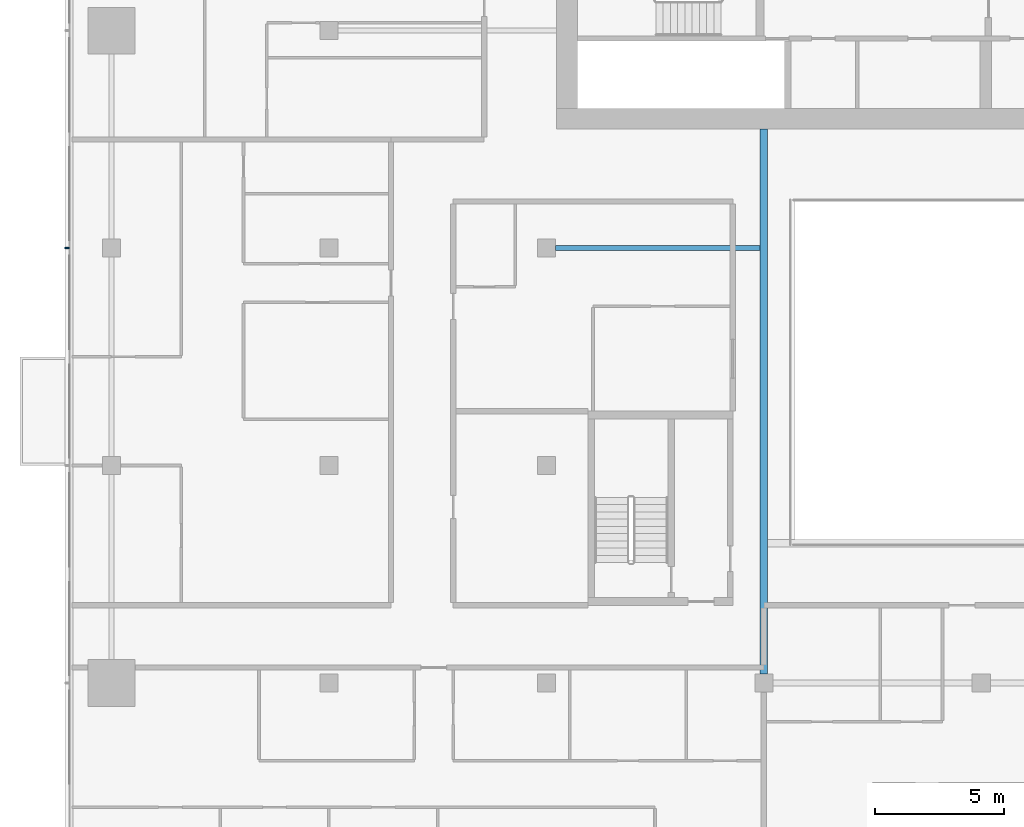
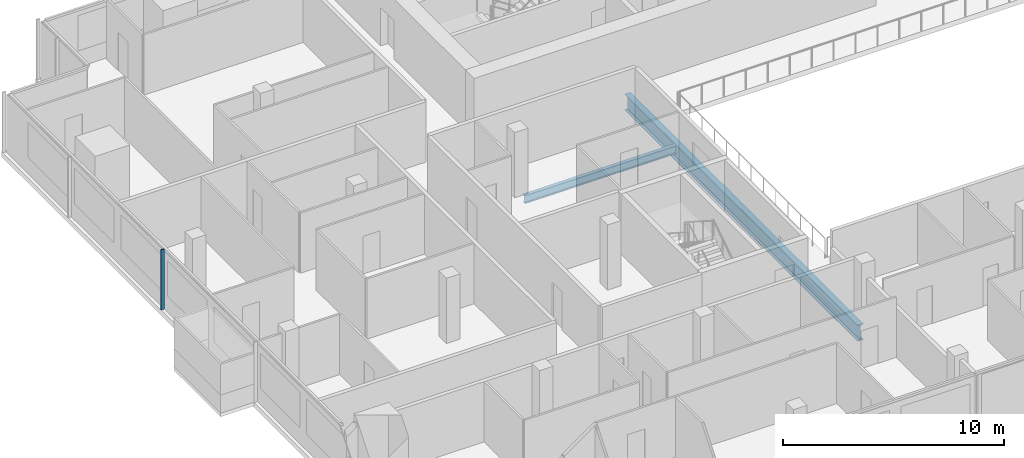
# One storey, part 4 of 28: 2 beams, 1 member, 1 element without a shape of its own.
"""IFC4 building model written with IfcOpenShell, lengths in metres."""

from ifc_helpers import new_model, si_unit, direction, frame, origin, origin_2d, place, context, subcontext, project, spatial, rectangle, i_section, extrude, material, material_profile, profile_set, type_object, element, aggregate, save


model = new_model("IFC4")

# Units and contexts
model_context = context("Model", 3, precision=1e-05, world=origin(), true_north=direction((0.0, 1.0)))
body_context = subcontext(model_context, "Body", "Model", "MODEL_VIEW")
ifc_project = project(units=[si_unit("LENGTHUNIT", "METRE"), si_unit("AREAUNIT", "SQUARE_METRE"), si_unit("VOLUMEUNIT", "CUBIC_METRE"), si_unit("PLANEANGLEUNIT", "RADIAN"), si_unit("MASSUNIT", "GRAM", prefix="KILO")], contexts=[model_context])

# Site, building, storey
site_placement = place(None, origin())
site = spatial("IfcSite", under=ifc_project, at=site_placement, CompositionType="ELEMENT")
building_placement = place(site_placement, origin())
building = spatial("IfcBuilding", under=site, at=building_placement, Name="Saffron Gate Tower", CompositionType="ELEMENT")
storey_placement = place(building_placement, frame((0.0, 0.0, 176.25)))
storey = spatial("IfcBuildingStorey", under=building, at=storey_placement, Name="L43", CompositionType="ELEMENT", Elevation=176.25)

# Beams
ifc_material_1 = material(Name="Structural steel S355", Category="steel")
ifc_material_profile_1 = material_profile(ifc_material_1, i_section(OverallWidth=0.300048828125, OverallDepth=0.889892578125, WebThickness=0.01611328125, FlangeThickness=0.030029296875, FilletRadius=0.030029296875, at=origin_2d()))
ifc_profile_set_1 = profile_set([ifc_material_profile_1], Name="Structural steel S355")
beam_type_1 = type_object("IfcBeamType", Name="B19 HEA 900", PredefinedType="BEAM", material=ifc_profile_set_1)
beam_1_placement = place(storey_placement, frame((75.0, 40.550048828125, -0.72509765625), z_axis=(0.0, 1.0, 0.0), x_axis=(-1.0, 0.0, 0.0)))
element("IfcBeam", 1, at=beam_1_placement, inside=storey, type_object=beam_type_1, Name="B19 ATRIUM GIRDER", PredefinedType="BEAM", context=body_context, shape_type="SweptSolid", body=[
    extrude(i_section(OverallWidth=0.300048828125, OverallDepth=0.889892578125, WebThickness=0.01611328125, FlangeThickness=0.030029296875, FilletRadius=0.030029296875, at=origin_2d()), origin(), (0.0, 0.0, 1.0), 21.050048828125),
])
ifc_material_profile_2 = material_profile(ifc_material_1, i_section(OverallWidth=0.18994140625, OverallDepth=0.449951171875, WebThickness=0.009521484375, FlangeThickness=0.0146484375, FilletRadius=0.02099609375, at=origin_2d()))
ifc_profile_set_2 = profile_set([ifc_material_profile_2], Name="Structural steel S355")
beam_type_2 = type_object("IfcBeamType", Name="B6 IPE 450", PredefinedType="BEAM", material=ifc_profile_set_2)
beam_2_placement = place(storey_placement, frame((66.949951171875, 57.0, -0.5048828125), z_axis=(1.0, 0.0, 0.0), x_axis=(0.0, 1.0, 0.0)))
element("IfcBeam", 2, at=beam_2_placement, inside=storey, type_object=beam_type_2, Name="B6 CORE TIE BEAM", PredefinedType="BEAM", context=body_context, shape_type="SweptSolid", body=[
    extrude(i_section(OverallWidth=0.18994140625, OverallDepth=0.449951171875, WebThickness=0.009521484375, FlangeThickness=0.0146484375, FilletRadius=0.02099609375, at=origin_2d()), origin(), (0.0, 0.0, 1.0), 7.900146484375),
])

# Curtain wall, member
ifc_material_2 = material(Name="Aluminium, bronze anodised", Category="aluminium")
curtain_wall_type = type_object("IfcCurtainWallType", Name="CWS2 curtain wall side facades", PredefinedType="NOTDEFINED", material=ifc_material_2)
curtain_wall_placement = place(storey_placement, origin())
curtain_wall = element("IfcCurtainWall", 3, at=curtain_wall_placement, inside=storey, type_object=curtain_wall_type, Name="CWS2 run 10", PredefinedType="NOTDEFINED")
ifc_material_profile_3 = material_profile(ifc_material_2, rectangle(XDim=0.159912109375, YDim=0.06005859375, at=origin_2d()))
ifc_profile_set_3 = profile_set([ifc_material_profile_3], Name="Aluminium, bronze anodised")
member_type = type_object("IfcMemberType", Name="CWS2 mullion 60x160", PredefinedType="MULLION", material=ifc_profile_set_3)
member_placement = place(storey_placement, frame((48.080078125, 57.0, 0.0), z_axis=(0.0, 0.0, 1.0), x_axis=(1.0, 0.0, 0.0)))
member = element("IfcMember", 4, at=member_placement, type_object=member_type, Name="CWS2 mullion 3", PredefinedType="MULLION", context=body_context, shape_type="SweptSolid", body=[
    extrude(rectangle(XDim=0.159912109375, YDim=0.06005859375, at=origin_2d()), origin(), (0.0, 0.0, 1.0), 3.320068359375),
])
aggregate(curtain_wall, [member])

save(model, "model.ifc")
